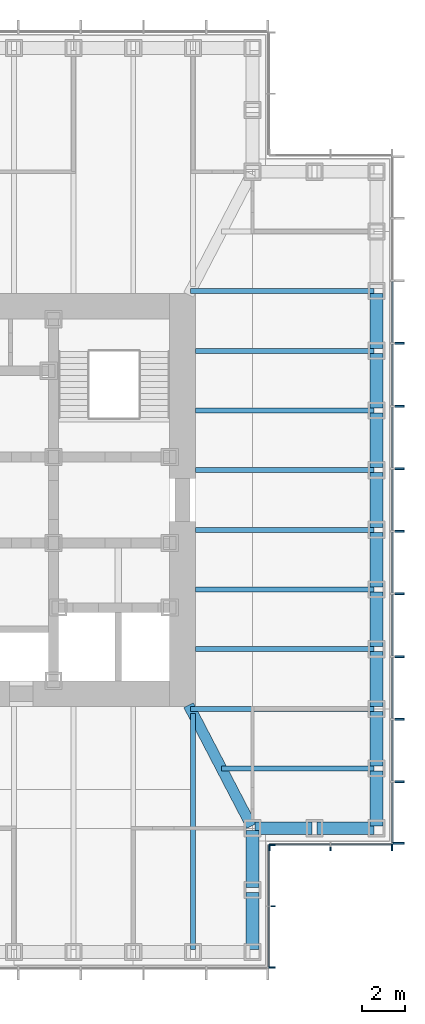
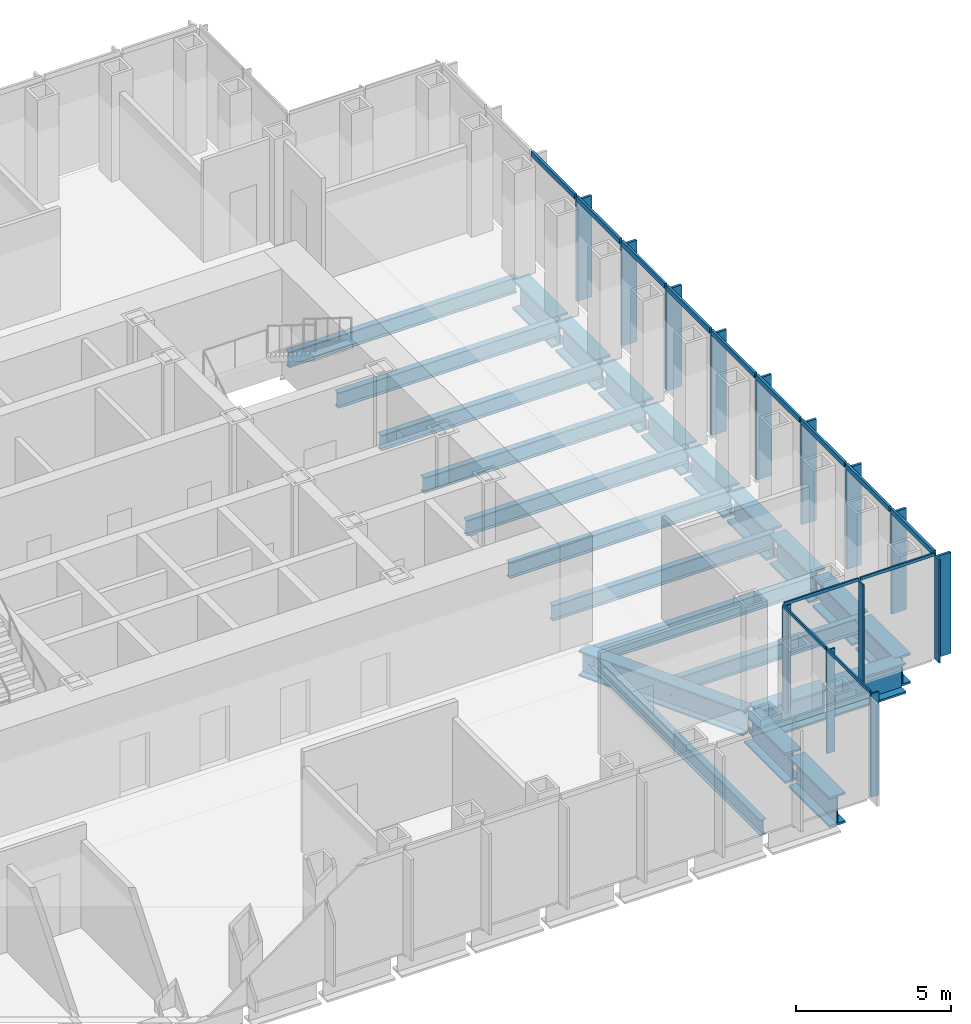
# One storey, part 4 of 16: 28 members, 24 beams, 3 elements without a shape of their own.
"""IFC4 building model written with IfcOpenShell, lengths in metres."""

from ifc_helpers import new_model, si_unit, direction, frame, origin, origin_2d, place, context, subcontext, project, spatial, rectangle, i_section, extrude, material, material_profile, profile_set, type_object, element, aggregate, save


model = new_model("IFC4")

# Units and contexts
model_context = context("Model", 3, precision=1e-05, world=origin(), true_north=direction((0.0, 1.0)))
body_context = subcontext(model_context, "Body", "Model", "MODEL_VIEW")
ifc_project = project(units=[si_unit("LENGTHUNIT", "METRE"), si_unit("AREAUNIT", "SQUARE_METRE"), si_unit("VOLUMEUNIT", "CUBIC_METRE"), si_unit("PLANEANGLEUNIT", "RADIAN"), si_unit("MASSUNIT", "GRAM", prefix="KILO")], contexts=[model_context])

# Site, building, storey
site_placement = place(None, origin())
site = spatial("IfcSite", under=ifc_project, at=site_placement, CompositionType="ELEMENT")
building_placement = place(site_placement, origin())
building = spatial("IfcBuilding", under=site, at=building_placement, Name="Daluyong Arena Tower", CompositionType="ELEMENT")
storey_placement = place(building_placement, frame((0.0, 0.0, 262.89990234375)))
storey = spatial("IfcBuildingStorey", under=building, at=storey_placement, Name="L59", CompositionType="ELEMENT", Elevation=262.89990234375)

# Curtain wall, members
ifc_material_1 = material(Name="Bronze anodised aluminium and glass", Category="aluminium")
curtain_wall_type_1 = type_object("IfcCurtainWallType", Name="Curtain wall CW4", PredefinedType="USERDEFINED", material=ifc_material_1)
curtain_wall_1_placement = place(storey_placement, origin())
curtain_wall_1 = element("IfcCurtainWall", 1, at=curtain_wall_1_placement, inside=storey, type_object=curtain_wall_type_1, Name="curtain wall L59 E", ObjectType="UNITISED CURTAIN WALL", PredefinedType="USERDEFINED")
ifc_material_2 = material(Name="Bronze anodised aluminium fin", Category="aluminium")
ifc_material_profile_1 = material_profile(ifc_material_2, rectangle(XDim=0.550048828125, YDim=0.090087890625, at=origin_2d()))
ifc_profile_set_1 = profile_set([ifc_material_profile_1], Name="Bronze anodised aluminium fin")
member_type_1 = type_object("IfcMemberType", Name="CW4 bronze fin 550x90", PredefinedType="MULLION", material=ifc_profile_set_1)
member_1_placement = place(storey_placement, frame((78.02490234375, 64.044921875, 0.0), z_axis=(0.0, 0.0, 1.0), x_axis=(-1.0, 0.0, 0.0)))
member_1 = element("IfcMember", 2, at=member_1_placement, type_object=member_type_1, Name="curtain wall L59 E fin 1", PredefinedType="MULLION", context=body_context, shape_type="SweptSolid", body=[
    extrude(rectangle(XDim=0.550048828125, YDim=0.090087890625, at=origin_2d()), origin(), (0.0, 0.0, 1.0), 4.0),
])
member_2_placement = place(storey_placement, frame((78.02490234375, 66.9091796875, 0.0), z_axis=(0.0, 0.0, 1.0), x_axis=(-1.0, 0.0, 0.0)))
member_2 = element("IfcMember", 3, at=member_2_placement, type_object=member_type_1, Name="curtain wall L59 E fin 2", PredefinedType="MULLION", context=body_context, shape_type="SweptSolid", body=[
    extrude(rectangle(XDim=0.550048828125, YDim=0.090087890625, at=origin_2d()), origin(), (0.0, 0.0, 1.0), 4.0),
])
member_3_placement = place(storey_placement, frame((78.02490234375, 69.818115234375, 0.0), z_axis=(0.0, 0.0, 1.0), x_axis=(-1.0, 0.0, 0.0)))
member_3 = element("IfcMember", 4, at=member_3_placement, type_object=member_type_1, Name="curtain wall L59 E fin 3", PredefinedType="MULLION", context=body_context, shape_type="SweptSolid", body=[
    extrude(rectangle(XDim=0.550048828125, YDim=0.090087890625, at=origin_2d()), origin(), (0.0, 0.0, 1.0), 4.0),
])
member_4_placement = place(storey_placement, frame((78.02490234375, 72.727294921875, 0.0), z_axis=(0.0, 0.0, 1.0), x_axis=(-1.0, 0.0, 0.0)))
member_4 = element("IfcMember", 5, at=member_4_placement, type_object=member_type_1, Name="curtain wall L59 E fin 4", PredefinedType="MULLION", context=body_context, shape_type="SweptSolid", body=[
    extrude(rectangle(XDim=0.550048828125, YDim=0.090087890625, at=origin_2d()), origin(), (0.0, 0.0, 1.0), 4.0),
])
member_5_placement = place(storey_placement, frame((78.02490234375, 75.636474609375, 0.0), z_axis=(0.0, 0.0, 1.0), x_axis=(-1.0, 0.0, 0.0)))
member_5 = element("IfcMember", 6, at=member_5_placement, type_object=member_type_1, Name="curtain wall L59 E fin 5", PredefinedType="MULLION", context=body_context, shape_type="SweptSolid", body=[
    extrude(rectangle(XDim=0.550048828125, YDim=0.090087890625, at=origin_2d()), origin(), (0.0, 0.0, 1.0), 4.0),
])
member_6_placement = place(storey_placement, frame((78.02490234375, 78.54541015625, 0.0), z_axis=(0.0, 0.0, 1.0), x_axis=(-1.0, 0.0, 0.0)))
member_6 = element("IfcMember", 7, at=member_6_placement, type_object=member_type_1, Name="curtain wall L59 E fin 6", PredefinedType="MULLION", context=body_context, shape_type="SweptSolid", body=[
    extrude(rectangle(XDim=0.550048828125, YDim=0.090087890625, at=origin_2d()), origin(), (0.0, 0.0, 1.0), 4.0),
])
member_7_placement = place(storey_placement, frame((78.02490234375, 81.45458984375, 0.0), z_axis=(0.0, 0.0, 1.0), x_axis=(-1.0, 0.0, 0.0)))
member_7 = element("IfcMember", 8, at=member_7_placement, type_object=member_type_1, Name="curtain wall L59 E fin 7", PredefinedType="MULLION", context=body_context, shape_type="SweptSolid", body=[
    extrude(rectangle(XDim=0.550048828125, YDim=0.090087890625, at=origin_2d()), origin(), (0.0, 0.0, 1.0), 4.0),
])
member_8_placement = place(storey_placement, frame((78.02490234375, 84.363525390625, 0.0), z_axis=(0.0, 0.0, 1.0), x_axis=(-1.0, 0.0, 0.0)))
member_8 = element("IfcMember", 9, at=member_8_placement, type_object=member_type_1, Name="curtain wall L59 E fin 8", PredefinedType="MULLION", context=body_context, shape_type="SweptSolid", body=[
    extrude(rectangle(XDim=0.550048828125, YDim=0.090087890625, at=origin_2d()), origin(), (0.0, 0.0, 1.0), 4.0),
])
member_9_placement = place(storey_placement, frame((78.02490234375, 87.272705078125, 0.0), z_axis=(0.0, 0.0, 1.0), x_axis=(-1.0, 0.0, 0.0)))
member_9 = element("IfcMember", 10, at=member_9_placement, type_object=member_type_1, Name="curtain wall L59 E fin 9", PredefinedType="MULLION", context=body_context, shape_type="SweptSolid", body=[
    extrude(rectangle(XDim=0.550048828125, YDim=0.090087890625, at=origin_2d()), origin(), (0.0, 0.0, 1.0), 4.0),
])
ifc_material_3 = material(Name="Bronze anodised aluminium", Category="aluminium")
ifc_material_profile_2 = material_profile(ifc_material_3, rectangle(XDim=0.090087890625, YDim=0.199951171875, at=origin_2d()))
ifc_profile_set_2 = profile_set([ifc_material_profile_2], Name="Bronze anodised aluminium")
member_type_2 = type_object("IfcMemberType", Name="CW4 stack transom 200x90", PredefinedType="USERDEFINED", material=ifc_profile_set_2)
member_10_placement = place(storey_placement, frame((77.75, 64.090087890625, 4.10009765625), z_axis=(0.0, 1.0, 0.0), x_axis=(-1.0, 0.0, 0.0)))
member_10 = element("IfcMember", 11, at=member_10_placement, type_object=member_type_2, Name="curtain wall L59 E transom 1", ObjectType="TRANSOM", PredefinedType="USERDEFINED", context=body_context, shape_type="SweptSolid", body=[
    extrude(rectangle(XDim=0.090087890625, YDim=0.199951171875, at=origin_2d()), origin(), (0.0, 0.0, 1.0), 2.77392578125),
])
member_11_placement = place(storey_placement, frame((77.75, 66.9541015625, 4.10009765625), z_axis=(0.0, 1.0, 0.0), x_axis=(-1.0, 0.0, 0.0)))
member_11 = element("IfcMember", 12, at=member_11_placement, type_object=member_type_2, Name="curtain wall L59 E transom 2", ObjectType="TRANSOM", PredefinedType="USERDEFINED", context=body_context, shape_type="SweptSolid", body=[
    extrude(rectangle(XDim=0.090087890625, YDim=0.199951171875, at=origin_2d()), origin(), (0.0, 0.0, 1.0), 2.819091796875),
])
member_12_placement = place(storey_placement, frame((77.75, 69.86328125, 4.10009765625), z_axis=(0.0, 1.0, 0.0), x_axis=(-1.0, 0.0, 0.0)))
member_12 = element("IfcMember", 13, at=member_12_placement, type_object=member_type_2, Name="curtain wall L59 E transom 3", ObjectType="TRANSOM", PredefinedType="USERDEFINED", context=body_context, shape_type="SweptSolid", body=[
    extrude(rectangle(XDim=0.090087890625, YDim=0.199951171875, at=origin_2d()), origin(), (0.0, 0.0, 1.0), 2.819091796875),
])
member_13_placement = place(storey_placement, frame((77.75, 72.772216796875, 4.10009765625), z_axis=(0.0, 1.0, 0.0), x_axis=(-1.0, 0.0, 0.0)))
member_13 = element("IfcMember", 14, at=member_13_placement, type_object=member_type_2, Name="curtain wall L59 E transom 4", ObjectType="TRANSOM", PredefinedType="USERDEFINED", context=body_context, shape_type="SweptSolid", body=[
    extrude(rectangle(XDim=0.090087890625, YDim=0.199951171875, at=origin_2d()), origin(), (0.0, 0.0, 1.0), 2.819091796875),
])
member_14_placement = place(storey_placement, frame((77.75, 75.681396484375, 4.10009765625), z_axis=(0.0, 1.0, 0.0), x_axis=(-1.0, 0.0, 0.0)))
member_14 = element("IfcMember", 15, at=member_14_placement, type_object=member_type_2, Name="curtain wall L59 E transom 5", ObjectType="TRANSOM", PredefinedType="USERDEFINED", context=body_context, shape_type="SweptSolid", body=[
    extrude(rectangle(XDim=0.090087890625, YDim=0.199951171875, at=origin_2d()), origin(), (0.0, 0.0, 1.0), 2.819091796875),
])
member_15_placement = place(storey_placement, frame((77.75, 78.590576171875, 4.10009765625), z_axis=(0.0, 1.0, 0.0), x_axis=(-1.0, 0.0, 0.0)))
member_15 = element("IfcMember", 16, at=member_15_placement, type_object=member_type_2, Name="curtain wall L59 E transom 6", ObjectType="TRANSOM", PredefinedType="USERDEFINED", context=body_context, shape_type="SweptSolid", body=[
    extrude(rectangle(XDim=0.090087890625, YDim=0.199951171875, at=origin_2d()), origin(), (0.0, 0.0, 1.0), 2.81884765625),
])
member_16_placement = place(storey_placement, frame((77.75, 81.49951171875, 4.10009765625), z_axis=(0.0, 1.0, 0.0), x_axis=(-1.0, 0.0, 0.0)))
member_16 = element("IfcMember", 17, at=member_16_placement, type_object=member_type_2, Name="curtain wall L59 E transom 7", ObjectType="TRANSOM", PredefinedType="USERDEFINED", context=body_context, shape_type="SweptSolid", body=[
    extrude(rectangle(XDim=0.090087890625, YDim=0.199951171875, at=origin_2d()), origin(), (0.0, 0.0, 1.0), 2.819091796875),
])
member_17_placement = place(storey_placement, frame((77.75, 84.40869140625, 4.10009765625), z_axis=(0.0, 1.0, 0.0), x_axis=(-1.0, 0.0, 0.0)))
member_17 = element("IfcMember", 18, at=member_17_placement, type_object=member_type_2, Name="curtain wall L59 E transom 8", ObjectType="TRANSOM", PredefinedType="USERDEFINED", context=body_context, shape_type="SweptSolid", body=[
    extrude(rectangle(XDim=0.090087890625, YDim=0.199951171875, at=origin_2d()), origin(), (0.0, 0.0, 1.0), 2.819091796875),
])
member_18_placement = place(storey_placement, frame((77.75, 87.317626953125, 4.10009765625), z_axis=(0.0, 1.0, 0.0), x_axis=(-1.0, 0.0, 0.0)))
member_18 = element("IfcMember", 19, at=member_18_placement, type_object=member_type_2, Name="curtain wall L59 E transom 9", ObjectType="TRANSOM", PredefinedType="USERDEFINED", context=body_context, shape_type="SweptSolid", body=[
    extrude(rectangle(XDim=0.090087890625, YDim=0.199951171875, at=origin_2d()), origin(), (0.0, 0.0, 1.0), 2.819091796875),
])
aggregate(curtain_wall_1, [member_1, member_2, member_3, member_4, member_5, member_6, member_7, member_8, member_9, member_10, member_11, member_12, member_13, member_14, member_15, member_16, member_17, member_18])

ifc_material_4 = material(Name="Bronze anodised aluminium and glass", Category="aluminium")
curtain_wall_type_2 = type_object("IfcCurtainWallType", Name="Curtain wall CW7", PredefinedType="USERDEFINED", material=ifc_material_4)
curtain_wall_2_placement = place(storey_placement, origin())
curtain_wall_2 = element("IfcCurtainWall", 20, at=curtain_wall_2_placement, inside=storey, type_object=curtain_wall_type_2, Name="curtain wall L59 SE-E", ObjectType="UNITISED CURTAIN WALL", PredefinedType="USERDEFINED")
ifc_material_5 = material(Name="Bronze anodised aluminium fin", Category="aluminium")
ifc_material_profile_3 = material_profile(ifc_material_5, rectangle(XDim=0.300048828125, YDim=0.06005859375, at=origin_2d()))
ifc_profile_set_3 = profile_set([ifc_material_profile_3], Name="Bronze anodised aluminium fin")
member_type_3 = type_object("IfcMemberType", Name="CW7 bronze fin 300x60", PredefinedType="MULLION", material=ifc_profile_set_3)
member_19_placement = place(storey_placement, frame((72.14990234375, 58.280029296875, 0.0), z_axis=(0.0, 0.0, 1.0), x_axis=(-1.0, 0.0, 0.0)))
member_19 = element("IfcMember", 21, at=member_19_placement, type_object=member_type_3, Name="curtain wall L59 SE-E fin 1", PredefinedType="MULLION", context=body_context, shape_type="SweptSolid", body=[
    extrude(rectangle(XDim=0.300048828125, YDim=0.06005859375, at=origin_2d()), origin(), (0.0, 0.0, 1.0), 4.080078125),
])
member_20_placement = place(storey_placement, frame((72.14990234375, 61.125, 0.0), z_axis=(0.0, 0.0, 1.0), x_axis=(-1.0, 0.0, 0.0)))
member_20 = element("IfcMember", 22, at=member_20_placement, type_object=member_type_3, Name="curtain wall L59 SE-E fin 2", PredefinedType="MULLION", context=body_context, shape_type="SweptSolid", body=[
    extrude(rectangle(XDim=0.300048828125, YDim=0.06005859375, at=origin_2d()), origin(), (0.0, 0.0, 1.0), 4.080078125),
])
member_21_placement = place(storey_placement, frame((72.14990234375, 63.969970703125, 0.0), z_axis=(0.0, 0.0, 1.0), x_axis=(-1.0, 0.0, 0.0)))
member_21 = element("IfcMember", 23, at=member_21_placement, type_object=member_type_3, Name="curtain wall L59 SE-E fin 3", PredefinedType="MULLION", context=body_context, shape_type="SweptSolid", body=[
    extrude(rectangle(XDim=0.300048828125, YDim=0.06005859375, at=origin_2d()), origin(), (0.0, 0.0, 1.0), 4.080078125),
])

curtain_wall_3_placement = place(storey_placement, origin())
curtain_wall_3 = element("IfcCurtainWall", 24, at=curtain_wall_3_placement, inside=storey, type_object=curtain_wall_type_2, Name="curtain wall L59 SE-S", ObjectType="UNITISED CURTAIN WALL", PredefinedType="USERDEFINED")
member_22_placement = place(storey_placement, frame((72.030029296875, 63.85009765625, 0.0), z_axis=(0.0, 0.0, 1.0), x_axis=(0.0, 1.0, 0.0)))
member_22 = element("IfcMember", 25, at=member_22_placement, type_object=member_type_3, Name="curtain wall L59 SE-S fin 1", PredefinedType="MULLION", context=body_context, shape_type="SweptSolid", body=[
    extrude(rectangle(XDim=0.300048828125, YDim=0.06005859375, at=origin_2d()), origin(), (0.0, 0.0, 1.0), 4.080078125),
])
member_23_placement = place(storey_placement, frame((74.875, 63.85009765625, 0.0), z_axis=(0.0, 0.0, 1.0), x_axis=(0.0, 1.0, 0.0)))
member_23 = element("IfcMember", 26, at=member_23_placement, type_object=member_type_3, Name="curtain wall L59 SE-S fin 2", PredefinedType="MULLION", context=body_context, shape_type="SweptSolid", body=[
    extrude(rectangle(XDim=0.300048828125, YDim=0.06005859375, at=origin_2d()), origin(), (0.0, 0.0, 1.0), 4.080078125),
])
member_24_placement = place(storey_placement, frame((77.719970703125, 63.85009765625, 0.0), z_axis=(0.0, 0.0, 1.0), x_axis=(0.0, 1.0, 0.0)))
member_24 = element("IfcMember", 27, at=member_24_placement, type_object=member_type_3, Name="curtain wall L59 SE-S fin 3", PredefinedType="MULLION", context=body_context, shape_type="SweptSolid", body=[
    extrude(rectangle(XDim=0.300048828125, YDim=0.06005859375, at=origin_2d()), origin(), (0.0, 0.0, 1.0), 4.080078125),
])

# Member
ifc_material_6 = material(Name="Bronze anodised aluminium", Category="aluminium")
ifc_material_profile_4 = material_profile(ifc_material_6, rectangle(XDim=0.06005859375, YDim=0.1201171875, at=origin_2d()))
ifc_profile_set_4 = profile_set([ifc_material_profile_4], Name="Bronze anodised aluminium")
member_type_4 = type_object("IfcMemberType", Name="CW7 stack transom 120x60", PredefinedType="USERDEFINED", material=ifc_profile_set_4)
member_25_placement = place(storey_placement, frame((72.0, 58.31005859375, 4.14013671875), z_axis=(0.0, 1.0, 0.0), x_axis=(-1.0, 0.0, 0.0)))
member_25 = element("IfcMember", 28, at=member_25_placement, type_object=member_type_4, Name="curtain wall L59 SE-E transom 1", ObjectType="TRANSOM", PredefinedType="USERDEFINED", context=body_context, shape_type="SweptSolid", body=[
    extrude(rectangle(XDim=0.06005859375, YDim=0.1201171875, at=origin_2d()), origin(), (0.0, 0.0, 1.0), 2.784912109375),
])

member_26_placement = place(storey_placement, frame((72.0, 61.155029296875, 4.14013671875), z_axis=(0.0, 1.0, 0.0), x_axis=(-1.0, 0.0, 0.0)))
member_26 = element("IfcMember", 29, at=member_26_placement, type_object=member_type_4, Name="curtain wall L59 SE-E transom 2", ObjectType="TRANSOM", PredefinedType="USERDEFINED", context=body_context, shape_type="SweptSolid", body=[
    extrude(rectangle(XDim=0.06005859375, YDim=0.1201171875, at=origin_2d()), origin(), (0.0, 0.0, 1.0), 2.784912109375),
])

aggregate(curtain_wall_2, [member_19, member_20, member_21, member_25, member_26])

member_27_placement = place(storey_placement, frame((72.06005859375, 64.0, 4.14013671875), z_axis=(1.0, 0.0, 0.0), x_axis=(0.0, 1.0, 0.0)))
member_27 = element("IfcMember", 30, at=member_27_placement, type_object=member_type_4, Name="curtain wall L59 SE-S transom 1", ObjectType="TRANSOM", PredefinedType="USERDEFINED", context=body_context, shape_type="SweptSolid", body=[
    extrude(rectangle(XDim=0.06005859375, YDim=0.1201171875, at=origin_2d()), origin(), (0.0, 0.0, 1.0), 2.784912109375),
])

member_28_placement = place(storey_placement, frame((74.905029296875, 64.0, 4.14013671875), z_axis=(1.0, 0.0, 0.0), x_axis=(0.0, 1.0, 0.0)))
member_28 = element("IfcMember", 31, at=member_28_placement, type_object=member_type_4, Name="curtain wall L59 SE-S transom 2", ObjectType="TRANSOM", PredefinedType="USERDEFINED", context=body_context, shape_type="SweptSolid", body=[
    extrude(rectangle(XDim=0.06005859375, YDim=0.1201171875, at=origin_2d()), origin(), (0.0, 0.0, 1.0), 2.784912109375),
])

aggregate(curtain_wall_3, [member_22, member_23, member_24, member_27, member_28])

# Beams
ifc_material_7 = material(Name="Steel ASTM A572 Grade 50", Category="steel")
ifc_material_profile_5 = material_profile(ifc_material_7, i_section(OverallWidth=0.5, OverallDepth=1.0, WebThickness=0.03, FlangeThickness=0.06, at=origin_2d()))
ifc_profile_set_5 = profile_set([ifc_material_profile_5], Name="Steel ASTM A572 Grade 50")
beam_type_1 = type_object("IfcBeamType", Name="Corner girder TB1000X500", PredefinedType="BEAM", material=ifc_profile_set_5)
beam_1_placement = place(storey_placement, frame((71.197021484375, 64.85205078125, -0.659912109375), z_axis=(-0.461351522179, 0.887217432754, 0.0), x_axis=(-0.887217432754, -0.461351522179, 0.0)))
element("IfcBeam", 32, at=beam_1_placement, inside=storey, type_object=beam_type_1, Name="corner girder DG2", PredefinedType="BEAM", context=body_context, shape_type="SweptSolid", body=[
    extrude(i_section(OverallWidth=0.5, OverallDepth=1.0, WebThickness=0.03, FlangeThickness=0.06, at=origin_2d()), origin(), (0.0, 0.0, 1.0), 6.32958984375),
])
ifc_material_8 = material(Name="Steel ASTM A992 Grade 50", Category="steel")
ifc_material_profile_6 = material_profile(ifc_material_8, i_section(OverallWidth=0.22900390625, OverallDepth=0.612060546875, WebThickness=0.011962890625, FlangeThickness=0.01953125, at=origin_2d()))
ifc_profile_set_6 = profile_set([ifc_material_profile_6], Name="Steel ASTM A992 Grade 50")
beam_type_2 = type_object("IfcBeamType", Name="Floor beam W24X84", PredefinedType="BEAM", material=ifc_profile_set_6)
beam_2_placement = place(storey_placement, frame((68.477294921875, 59.114990234375, -0.466064453125), z_axis=(0.0, 1.0, 0.0), x_axis=(-1.0, 0.0, 0.0)))
element("IfcBeam", 33, at=beam_2_placement, inside=storey, type_object=beam_type_2, Name="floor beam FB3", PredefinedType="BEAM", context=body_context, shape_type="SweptSolid", body=[
    extrude(i_section(OverallWidth=0.22900390625, OverallDepth=0.612060546875, WebThickness=0.011962890625, FlangeThickness=0.01953125, at=origin_2d()), origin(), (0.0, 0.0, 1.0), 10.96728515625),
])
beam_3_placement = place(storey_placement, frame((76.885009765625, 67.522705078125, -0.466064453125), z_axis=(-1.0, 0.0, 0.0), x_axis=(0.0, -1.0, 0.0)))
element("IfcBeam", 34, at=beam_3_placement, inside=storey, type_object=beam_type_2, Name="floor beam FB3", PredefinedType="BEAM", context=body_context, shape_type="SweptSolid", body=[
    extrude(i_section(OverallWidth=0.22900390625, OverallDepth=0.612060546875, WebThickness=0.011962890625, FlangeThickness=0.01953125, at=origin_2d()), origin(), (0.0, 0.0, 1.0), 7.076904296875),
])
beam_4_placement = place(storey_placement, frame((76.885009765625, 70.29541015625, -0.466064453125), z_axis=(-1.0, 0.0, 0.0), x_axis=(0.0, -1.0, 0.0)))
element("IfcBeam", 35, at=beam_4_placement, inside=storey, type_object=beam_type_2, Name="floor beam FB3", PredefinedType="BEAM", context=body_context, shape_type="SweptSolid", body=[
    extrude(i_section(OverallWidth=0.22900390625, OverallDepth=0.612060546875, WebThickness=0.011962890625, FlangeThickness=0.01953125, at=origin_2d()), origin(), (0.0, 0.0, 1.0), 8.5185546875),
])
for number, where, z_axis, x_axis, name in (
    (36, (76.885009765625, 73.068115234375, -0.466064453125), (-1.0, 0.0, 0.0), (0.0, -1.0, 0.0), "floor beam FB3"),
    (37, (76.885009765625, 75.8408203125, -0.466064453125), (-1.0, 0.0, 0.0), (0.0, -1.0, 0.0), "floor beam FB3"),
    (38, (76.885009765625, 78.613525390625, -0.466064453125), (-1.0, 0.0, 0.0), (0.0, -1.0, 0.0), "floor beam FB3"),
    (39, (76.885009765625, 81.386474609375, -0.466064453125), (-1.0, 0.0, 0.0), (0.0, -1.0, 0.0), "floor beam FB3"),
    (40, (76.885009765625, 84.1591796875, -0.466064453125), (-1.0, 0.0, 0.0), (0.0, -1.0, 0.0), "floor beam FB3"),
    (41, (76.885009765625, 86.931884765625, -0.466064453125), (-1.0, 0.0, 0.0), (0.0, -1.0, 0.0), "floor beam FB3"),
):
    element("IfcBeam", number, at=place(storey_placement, frame(where, z_axis=z_axis, x_axis=x_axis)), inside=storey, type_object=beam_type_2, Name=name, PredefinedType="BEAM", context=body_context, shape_type="SweptSolid", body=[
        extrude(i_section(OverallWidth=0.22900390625, OverallDepth=0.612060546875, WebThickness=0.011962890625, FlangeThickness=0.01953125, at=origin_2d()), origin(), (0.0, 0.0, 1.0), 8.284912109375),
    ])
beam_5_placement = place(storey_placement, frame((76.885009765625, 89.70458984375, -0.466064453125), z_axis=(-1.0, 0.0, 0.0), x_axis=(0.0, -1.0, 0.0)))
element("IfcBeam", 42, at=beam_5_placement, inside=storey, type_object=beam_type_2, Name="floor beam FB3", PredefinedType="BEAM", context=body_context, shape_type="SweptSolid", body=[
    extrude(i_section(OverallWidth=0.22900390625, OverallDepth=0.612060546875, WebThickness=0.011962890625, FlangeThickness=0.01953125, at=origin_2d()), origin(), (0.0, 0.0, 1.0), 8.5185546875),
])
ifc_material_9 = material(Name="Steel ASTM A572 Grade 50", Category="steel")
ifc_material_profile_7 = material_profile(ifc_material_9, i_section(OverallWidth=0.60009765625, OverallDepth=1.199951171875, WebThickness=0.03, FlangeThickness=0.08, at=origin_2d()))
ifc_profile_set_7 = profile_set([ifc_material_profile_7], Name="Steel ASTM A572 Grade 50")
beam_type_3 = type_object("IfcBeamType", Name="Spandrel Z4 PG1200X600", PredefinedType="SPANDREL", material=ifc_profile_set_7)
for number, where, z_axis, x_axis, name in (
    (43, (71.25, 59.114990234375, -0.760009765625), (0.0, 1.0, 0.0), (-1.0, 0.0, 0.0), "spandrel z4 SB9"),
    (44, (71.25, 61.989990234375, -0.760009765625), (0.0, 1.0, 0.0), (-1.0, 0.0, 0.0), "spandrel z4 SB9"),
    (45, (71.364990234375, 64.75, -0.760009765625), (1.0, 0.0, 0.0), (0.0, 1.0, 0.0), "spandrel z4 SB9"),
    (46, (74.239990234375, 64.75, -0.760009765625), (1.0, 0.0, 0.0), (0.0, 1.0, 0.0), "spandrel z4 SB9"),
):
    element("IfcBeam", number, at=place(storey_placement, frame(where, z_axis=z_axis, x_axis=x_axis)), inside=storey, type_object=beam_type_3, Name=name, PredefinedType="SPANDREL", context=body_context, shape_type="SweptSolid", body=[
        extrude(i_section(OverallWidth=0.60009765625, OverallDepth=1.199951171875, WebThickness=0.03, FlangeThickness=0.08, at=origin_2d()), origin(), (0.0, 0.0, 1.0), 2.64501953125),
    ])
for number, where, z_axis, x_axis, name in (
    (47, (77.0, 64.864990234375, -0.760009765625), (0.0, 1.0, 0.0), (-1.0, 0.0, 0.0), "spandrel z4 SB9"),
    (48, (77.0, 67.6376953125, -0.760009765625), (0.0, 1.0, 0.0), (-1.0, 0.0, 0.0), "spandrel z4 SB9"),
    (49, (77.0, 70.410400390625, -0.760009765625), (0.0, 1.0, 0.0), (-1.0, 0.0, 0.0), "spandrel z4 SB9"),
    (50, (77.0, 73.18310546875, -0.760009765625), (0.0, 1.0, 0.0), (-1.0, 0.0, 0.0), "spandrel z4 SB9"),
    (51, (77.0, 75.955810546875, -0.760009765625), (0.0, 1.0, 0.0), (-1.0, 0.0, 0.0), "spandrel z4 SB9"),
):
    element("IfcBeam", number, at=place(storey_placement, frame(where, z_axis=z_axis, x_axis=x_axis)), inside=storey, type_object=beam_type_3, Name=name, PredefinedType="SPANDREL", context=body_context, shape_type="SweptSolid", body=[
        extrude(i_section(OverallWidth=0.60009765625, OverallDepth=1.199951171875, WebThickness=0.03, FlangeThickness=0.08, at=origin_2d()), origin(), (0.0, 0.0, 1.0), 2.542724609375),
    ])
beam_6_placement = place(storey_placement, frame((77.0, 78.728515625, -0.760009765625), z_axis=(0.0, 1.0, 0.0), x_axis=(-1.0, 0.0, 0.0)))
element("IfcBeam", 52, at=beam_6_placement, inside=storey, type_object=beam_type_3, Name="spandrel z4 SB9", PredefinedType="SPANDREL", context=body_context, shape_type="SweptSolid", body=[
    extrude(i_section(OverallWidth=0.60009765625, OverallDepth=1.199951171875, WebThickness=0.03, FlangeThickness=0.08, at=origin_2d()), origin(), (0.0, 0.0, 1.0), 2.54296875),
])
for number, where, z_axis, x_axis, name in (
    (53, (77.0, 81.50146484375, -0.760009765625), (0.0, 1.0, 0.0), (-1.0, 0.0, 0.0), "spandrel z4 SB9"),
    (54, (77.0, 84.274169921875, -0.760009765625), (0.0, 1.0, 0.0), (-1.0, 0.0, 0.0), "spandrel z4 SB9"),
    (55, (77.0, 87.046875, -0.760009765625), (0.0, 1.0, 0.0), (-1.0, 0.0, 0.0), "spandrel z4 SB9"),
):
    element("IfcBeam", number, at=place(storey_placement, frame(where, z_axis=z_axis, x_axis=x_axis)), inside=storey, type_object=beam_type_3, Name=name, PredefinedType="SPANDREL", context=body_context, shape_type="SweptSolid", body=[
        extrude(i_section(OverallWidth=0.60009765625, OverallDepth=1.199951171875, WebThickness=0.03, FlangeThickness=0.08, at=origin_2d()), origin(), (0.0, 0.0, 1.0), 2.542724609375),
    ])

save(model, "model.ifc")
